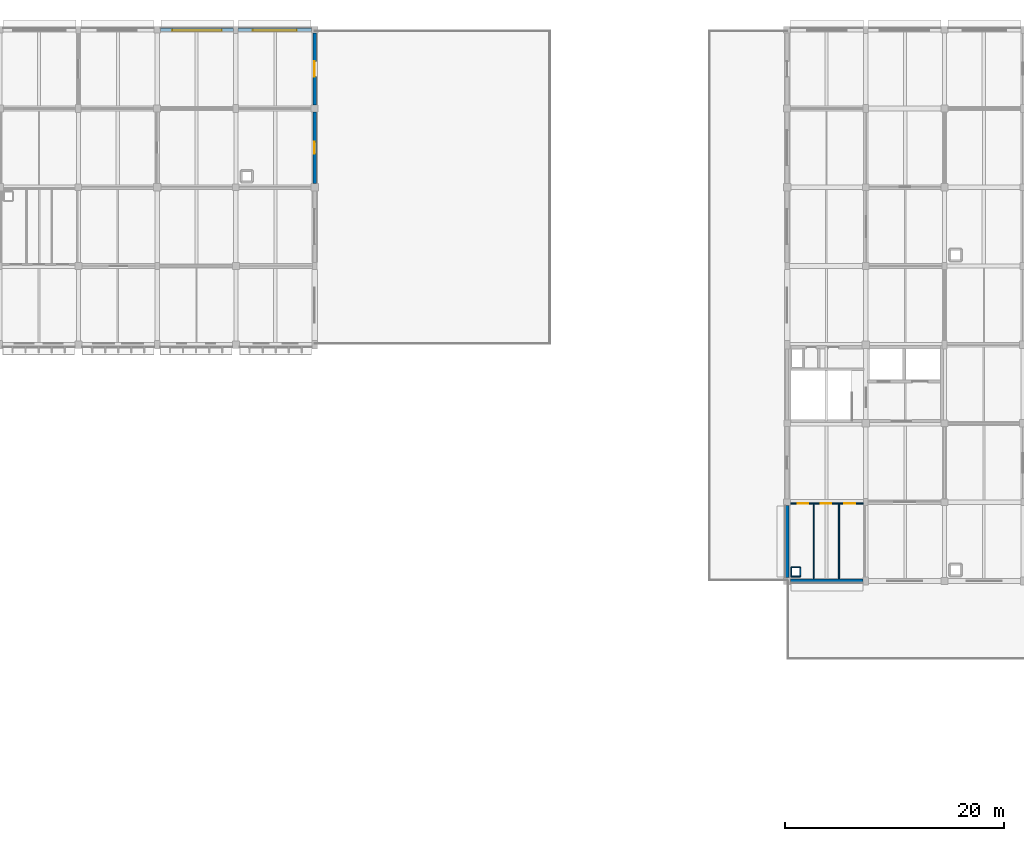
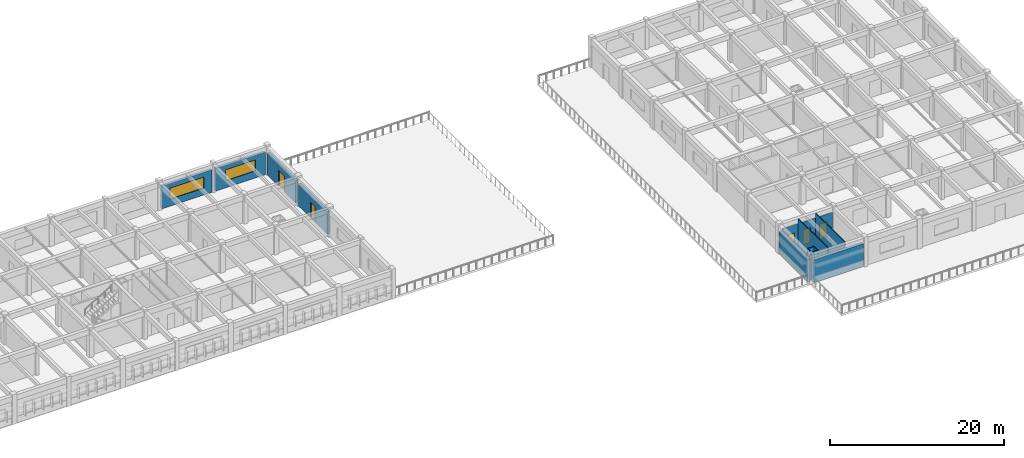
# One storey, part 28 of 38: 13 walls, 5 doors, 2 windows, 7 openings.
"""IFC4 building model written with IfcOpenShell, lengths in metres."""

from ifc_helpers import new_model, si_unit, direction, frame, frame_2d, origin, place, context, subcontext, project, spatial, rectangle, extrude, material, layer, layer_set, type_object, element, fill, save


model = new_model("IFC4")

# Units and contexts
model_context = context("Model", 3, precision=1e-05, world=origin(), true_north=direction((0.0, 1.0)))
body_context = subcontext(model_context, "Body", "Model", "MODEL_VIEW")
ifc_project = project(units=[si_unit("LENGTHUNIT", "METRE"), si_unit("AREAUNIT", "SQUARE_METRE"), si_unit("VOLUMEUNIT", "CUBIC_METRE"), si_unit("PLANEANGLEUNIT", "RADIAN"), si_unit("MASSUNIT", "GRAM", prefix="KILO")], contexts=[model_context])

# Site, building, storey
site_placement = place(None, origin())
site = spatial("IfcSite", under=ifc_project, at=site_placement, CompositionType="ELEMENT")
building_placement = place(site_placement, origin())
building = spatial("IfcBuilding", under=site, at=building_placement, Name="Thalmaran Polytechnic", CompositionType="ELEMENT")
storey_placement = place(building_placement, frame((0.0, 0.0, 18.60009765625)))
storey = spatial("IfcBuildingStorey", under=building, at=storey_placement, Name="L04", CompositionType="ELEMENT", Elevation=18.60009765625)

# Walls
ifc_material_1 = material(Name="Precast concrete C40/50", Category="concrete")
ifc_layer_1 = layer(ifc_material_1, 0.360107421875, Name="Precast concrete C40/50")
ifc_layer_set_1 = layer_set([ifc_layer_1], Name="Precast concrete C40/50")
wall_type_1 = type_object("IfcWallType", Name="WL-EW01", PredefinedType="STANDARD", material=ifc_layer_set_1)
wall_1_placement = place(storey_placement, frame((143.75, 72.0, 0.0), z_axis=(0.0, 0.0, 1.0), x_axis=(-1.0, 0.0, 0.0)))
element("IfcWall", 1, at=wall_1_placement, inside=storey, type_object=wall_type_1, Name="Exterior Precast Facade Wall L04-018", PredefinedType="STANDARD", context=body_context, shape_type="SweptSolid", body=[
    extrude(rectangle(XDim=6.625, YDim=0.360107421875, at=frame_2d((3.3125, 0.0))), origin(), (0.0, 0.0, 1.0), 3.2099609375),
])
wall_2_placement = place(storey_placement, frame((136.800048828125, 72.324951171875, 0.0), z_axis=(0.0, 0.0, 1.0), x_axis=(0.0, 1.0, 0.0)))
element("IfcWall", 2, at=wall_2_placement, inside=storey, type_object=wall_type_1, Name="Exterior Precast Facade Wall L04-019", PredefinedType="STANDARD", context=body_context, shape_type="SweptSolid", body=[
    extrude(rectangle(XDim=6.56494140625, YDim=0.360107421875, at=frame_2d((3.282470703125, 0.0))), origin(), (0.0, 0.0, 1.0), 3.159912109375),
])

# Wall, opening, door
ifc_layer_2 = layer(ifc_material_1, 0.330078125, Name="Precast concrete C40/50")
ifc_layer_set_2 = layer_set([ifc_layer_2], Name="Precast concrete C40/50")
wall_type_2 = type_object("IfcWallType", Name="WL-EW02", PredefinedType="STANDARD", material=ifc_layer_set_2)
wall_3_placement = place(storey_placement, frame((93.60009765625, 122.090087890625, 0.0), z_axis=(0.0, 0.0, 1.0), x_axis=(0.0, -1.0, 0.0)))
wall_3 = element("IfcWall", 3, at=wall_3_placement, inside=storey, type_object=wall_type_2, Name="Terrace Access Wall L04-065", PredefinedType="STANDARD", context=body_context, shape_type="SweptSolid", body=[
    extrude(rectangle(XDim=6.565185546875, YDim=0.330078125, at=frame_2d((3.28271484375, 0.0))), origin(), (0.0, 0.0, 1.0), 3.1298828125),
])
opening_1_placement = place(wall_3_placement, frame((2.58251953125, 0.0, 0.0)))
opening_1 = element("IfcOpeningElement", 4, at=opening_1_placement, cuts=wall_3, Name="Opening TD-013", PredefinedType="OPENING", context=body_context, shape_type="SweptSolid", body=[
    extrude(rectangle(XDim=1.39990234375, YDim=2.25, at=frame_2d((0.699951171875, 1.125))), frame((0.0, 0.175048828125, 0.0), z_axis=(0.0, -1.0, 0.0), x_axis=(1.0, 0.0, 0.0)), (0.0, 0.0, 1.0), 0.35009765625),
])
ifc_material_2 = material(Name="Anodised aluminium and safety glass", Category="aluminium")
door_type_1 = type_object("IfcDoorType", Name="DR-TD01", OperationType="NOTDEFINED", PredefinedType="DOOR", material=ifc_material_2)
door_1_placement = place(opening_1_placement, origin())
door_1 = element("IfcDoor", 5, at=door_1_placement, inside=storey, type_object=door_type_1, Name="Terrace Access Door TD-013", OperationType="SINGLE_SWING_LEFT", OverallHeight=2.25, OverallWidth=1.39990234375, PredefinedType="DOOR", context=body_context, shape_type="SweptSolid", body=[
    extrude(rectangle(XDim=1.39990234375, YDim=2.25, at=frame_2d((0.699951171875, 1.125))), frame((0.0, 0.02490234375, 0.0), z_axis=(0.0, -1.0, 0.0), x_axis=(1.0, 0.0, 0.0)), (0.0, 0.0, 1.0), 0.050048828125),
])
fill(opening_1, door_1)

wall_4_placement = place(storey_placement, frame((93.60009765625, 114.875, 0.0), z_axis=(0.0, 0.0, 1.0), x_axis=(0.0, -1.0, 0.0)))
wall_4 = element("IfcWall", 6, at=wall_4_placement, inside=storey, type_object=wall_type_2, Name="Terrace Access Wall L04-066", PredefinedType="STANDARD", context=body_context, shape_type="SweptSolid", body=[
    extrude(rectangle(XDim=6.534912109375, YDim=0.330078125, at=frame_2d((3.267578125, 0.0))), origin(), (0.0, 0.0, 1.0), 3.1298828125),
])
opening_2_placement = place(wall_4_placement, frame((2.717529296875, 0.0, 0.0)))
opening_2 = element("IfcOpeningElement", 7, at=opening_2_placement, cuts=wall_4, Name="Opening TD-014", PredefinedType="OPENING", context=body_context, shape_type="SweptSolid", body=[
    extrude(rectangle(XDim=1.10009765625, YDim=2.199951171875, at=frame_2d((0.550048828125, 1.10009765625))), frame((0.0, 0.175048828125, 0.0), z_axis=(0.0, -1.0, 0.0), x_axis=(1.0, 0.0, 0.0)), (0.0, 0.0, 1.0), 0.35009765625),
])
door_type_2 = type_object("IfcDoorType", Name="DR-TD02", OperationType="NOTDEFINED", PredefinedType="DOOR", material=ifc_material_2)
door_2_placement = place(opening_2_placement, origin())
door_2 = element("IfcDoor", 8, at=door_2_placement, inside=storey, type_object=door_type_2, Name="Terrace Access Door TD-014", OperationType="SINGLE_SWING_RIGHT", OverallHeight=2.199951171875, OverallWidth=1.10009765625, PredefinedType="DOOR", context=body_context, shape_type="SweptSolid", body=[
    extrude(rectangle(XDim=1.10009765625, YDim=2.199951171875, at=frame_2d((0.550048828125, 1.10009765625))), frame((0.0, 0.02490234375, 0.0), z_axis=(0.0, -1.0, 0.0), x_axis=(1.0, 0.0, 0.0)), (0.0, 0.0, 1.0), 0.050048828125),
])
fill(opening_2, door_2)

# Wall, opening, window
ifc_layer_3 = layer(ifc_material_1, 0.31005859375, Name="Precast concrete C40/50")
ifc_layer_set_3 = layer_set([ifc_layer_3], Name="Precast concrete C40/50")
wall_type_3 = type_object("IfcWallType", Name="WL-EW03", PredefinedType="STANDARD", material=ifc_layer_set_3)
wall_5_placement = place(storey_placement, frame((79.510009765625, 122.39990234375, 0.0), z_axis=(0.0, 0.0, 1.0), x_axis=(1.0, 0.0, 0.0)))
wall_5 = element("IfcWall", 9, at=wall_5_placement, inside=storey, type_object=wall_type_3, Name="Exterior Precast Facade Wall L04-063", PredefinedType="STANDARD", context=body_context, shape_type="SweptSolid", body=[
    extrude(rectangle(XDim=6.679931640625, YDim=0.31005859375, at=frame_2d((3.33984375, 0.0))), origin(), (0.0, 0.0, 1.0), 3.179931640625),
])
opening_3_placement = place(wall_5_placement, frame((1.090087890625, 0.0, 0.97998046875)))
opening_3 = element("IfcOpeningElement", 10, at=opening_3_placement, cuts=wall_5, Name="Opening VW01", PredefinedType="OPENING", context=body_context, shape_type="SweptSolid", body=[
    extrude(rectangle(XDim=4.5, YDim=1.550048828125, at=frame_2d((2.25, 0.77490234375))), frame((0.0, 0.1650390625, 0.0), z_axis=(0.0, -1.0, 0.0), x_axis=(1.0, 0.0, 0.0)), (0.0, 0.0, 1.0), 0.330078125),
])
ifc_material_3 = material(Name="Thermally broken aluminium and double low-E glass", Category="aluminium")
window_type_1 = type_object("IfcWindowType", Name="WN-VZ01", PartitioningType="TRIPLE_PANEL_HORIZONTAL", PredefinedType="WINDOW", material=ifc_material_3)
window_1_placement = place(opening_3_placement, origin())
window_1 = element("IfcWindow", 11, at=window_1_placement, inside=storey, type_object=window_type_1, Name="Streamline Ribbon Window W-0600", OverallHeight=1.550048828125, OverallWidth=4.5, PartitioningType="SINGLE_PANEL", PredefinedType="WINDOW", context=body_context, shape_type="SweptSolid", body=[
    extrude(rectangle(XDim=4.5, YDim=1.550048828125, at=frame_2d((2.25, 0.77490234375))), frame((0.0, -0.030029296875, 0.0), z_axis=(0.0, -1.0, 0.0), x_axis=(1.0, 0.0, 0.0)), (0.0, 0.0, 1.0), 0.06005859375),
])
fill(opening_3, window_1)

wall_6_placement = place(storey_placement, frame((86.610107421875, 122.39990234375, 0.0), z_axis=(0.0, 0.0, 1.0), x_axis=(1.0, 0.0, 0.0)))
wall_6 = element("IfcWall", 12, at=wall_6_placement, inside=storey, type_object=wall_type_3, Name="Exterior Precast Facade Wall L04-064", PredefinedType="STANDARD", context=body_context, shape_type="SweptSolid", body=[
    extrude(rectangle(XDim=6.679931640625, YDim=0.31005859375, at=frame_2d((3.33984375, 0.0))), origin(), (0.0, 0.0, 1.0), 3.179931640625),
])
opening_4_placement = place(wall_6_placement, frame((1.340087890625, 0.0, 0.97998046875)))
opening_4 = element("IfcOpeningElement", 13, at=opening_4_placement, cuts=wall_6, Name="Opening VW02", PredefinedType="OPENING", context=body_context, shape_type="SweptSolid", body=[
    extrude(rectangle(XDim=4.0, YDim=1.550048828125, at=frame_2d((2.0, 0.77490234375))), frame((0.0, 0.1650390625, 0.0), z_axis=(0.0, -1.0, 0.0), x_axis=(1.0, 0.0, 0.0)), (0.0, 0.0, 1.0), 0.330078125),
])
window_type_2 = type_object("IfcWindowType", Name="WN-VZ02", PartitioningType="TRIPLE_PANEL_HORIZONTAL", PredefinedType="WINDOW", material=ifc_material_3)
window_2_placement = place(opening_4_placement, origin())
window_2 = element("IfcWindow", 14, at=window_2_placement, inside=storey, type_object=window_type_2, Name="Streamline Ribbon Window W-0601", OverallHeight=1.550048828125, OverallWidth=4.0, PartitioningType="SINGLE_PANEL", PredefinedType="WINDOW", context=body_context, shape_type="SweptSolid", body=[
    extrude(rectangle(XDim=4.0, YDim=1.550048828125, at=frame_2d((2.0, 0.77490234375))), frame((0.0, -0.030029296875, 0.0), z_axis=(0.0, -1.0, 0.0), x_axis=(1.0, 0.0, 0.0)), (0.0, 0.0, 1.0), 0.06005859375),
])
fill(opening_4, window_2)

# Wall, openings, doors
ifc_material_4 = material(Name="Gypsum acoustic partition")
ifc_layer_4 = layer(ifc_material_4, 0.114990234375, Name="Gypsum acoustic partition")
ifc_layer_set_4 = layer_set([ifc_layer_4], Name="Gypsum acoustic partition")
wall_type_4 = type_object("IfcWallType", Name="WL-IW08", PredefinedType="PARTITIONING", material=ifc_layer_set_4)
wall_7_placement = place(storey_placement, frame((137.114990234375, 79.080078125, 0.0), z_axis=(0.0, 0.0, 1.0), x_axis=(1.0, 0.0, 0.0)))
wall_7 = element("IfcWall", 15, at=wall_7_placement, inside=storey, type_object=wall_type_4, Name="Sanitary Core Wall L04-W3-N", PredefinedType="PARTITIONING", context=body_context, shape_type="SweptSolid", body=[
    extrude(rectangle(XDim=6.669921875, YDim=0.114990234375, at=frame_2d((3.3349609375, 0.0))), origin(), (0.0, 0.0, 1.0), 3.239990234375),
])
opening_5_placement = place(wall_7_placement, frame((0.68505859375, 0.0, 0.0)))
opening_5 = element("IfcOpeningElement", 16, at=opening_5_placement, cuts=wall_7, Name="Opening WD-L04-W3-1", PredefinedType="OPENING", context=body_context, shape_type="SweptSolid", body=[
    extrude(rectangle(XDim=0.949951171875, YDim=2.10009765625, at=frame_2d((0.47509765625, 1.050048828125))), frame((0.0, 0.0673828125, 0.0), z_axis=(0.0, -1.0, 0.0), x_axis=(1.0, 0.0, 0.0)), (0.0, 0.0, 1.0), 0.135009765625),
])
opening_6_placement = place(wall_7_placement, frame((2.784912109375, 0.0, 0.0)))
opening_6 = element("IfcOpeningElement", 17, at=opening_6_placement, cuts=wall_7, Name="Opening WD-L04-W3-2", PredefinedType="OPENING", context=body_context, shape_type="SweptSolid", body=[
    extrude(rectangle(XDim=0.949951171875, YDim=2.10009765625, at=frame_2d((0.47509765625, 1.050048828125))), frame((0.0, 0.0673828125, 0.0), z_axis=(0.0, -1.0, 0.0), x_axis=(1.0, 0.0, 0.0)), (0.0, 0.0, 1.0), 0.135009765625),
])
opening_7_placement = place(wall_7_placement, frame((4.93505859375, 0.0, 0.0)))
opening_7 = element("IfcOpeningElement", 18, at=opening_7_placement, cuts=wall_7, Name="Opening WD-L04-W3-3", PredefinedType="OPENING", context=body_context, shape_type="SweptSolid", body=[
    extrude(rectangle(XDim=1.0, YDim=2.14990234375, at=frame_2d((0.5, 1.074951171875))), frame((0.0, 0.0673828125, 0.0), z_axis=(0.0, -1.0, 0.0), x_axis=(1.0, 0.0, 0.0)), (0.0, 0.0, 1.0), 0.135009765625),
])
ifc_material_5 = material(Name="Acoustic hardwood", Category="wood")
door_type_3 = type_object("IfcDoorType", Name="DR-ID06", OperationType="NOTDEFINED", PredefinedType="DOOR", material=ifc_material_5)
door_3_placement = place(opening_7_placement, origin())
door_3 = element("IfcDoor", 19, at=door_3_placement, inside=storey, type_object=door_type_3, Name="Accessible WC Door L04-W3", OperationType="SINGLE_SWING_RIGHT", OverallHeight=2.14990234375, OverallWidth=1.0, PredefinedType="DOOR", context=body_context, shape_type="SweptSolid", body=[
    extrude(rectangle(XDim=1.0, YDim=2.14990234375, at=frame_2d((0.5, 1.074951171875))), frame((0.0, 0.02490234375, 0.0), z_axis=(0.0, -1.0, 0.0), x_axis=(1.0, 0.0, 0.0)), (0.0, 0.0, 1.0), 0.050048828125),
])
fill(opening_7, door_3)
ifc_material_6 = material(Name="Moisture-resistant laminate timber", Category="wood")
door_type_4 = type_object("IfcDoorType", Name="DR-ID07", OperationType="NOTDEFINED", PredefinedType="DOOR", material=ifc_material_6)
door_4_placement = place(opening_5_placement, origin())
door_4 = element("IfcDoor", 20, at=door_4_placement, inside=storey, type_object=door_type_4, Name="Male WC Door L04-W3", OperationType="SINGLE_SWING_RIGHT", OverallHeight=2.10009765625, OverallWidth=0.949951171875, PredefinedType="DOOR", context=body_context, shape_type="SweptSolid", body=[
    extrude(rectangle(XDim=0.949951171875, YDim=2.10009765625, at=frame_2d((0.47509765625, 1.050048828125))), frame((0.0, 0.02490234375, 0.0), z_axis=(0.0, -1.0, 0.0), x_axis=(1.0, 0.0, 0.0)), (0.0, 0.0, 1.0), 0.050048828125),
])
fill(opening_5, door_4)
door_5_placement = place(opening_6_placement, origin())
door_5 = element("IfcDoor", 21, at=door_5_placement, inside=storey, type_object=door_type_4, Name="Female WC Door L04-W3", OperationType="SINGLE_SWING_LEFT", OverallHeight=2.10009765625, OverallWidth=0.949951171875, PredefinedType="DOOR", context=body_context, shape_type="SweptSolid", body=[
    extrude(rectangle(XDim=0.949951171875, YDim=2.10009765625, at=frame_2d((0.47509765625, 1.050048828125))), frame((0.0, 0.02490234375, 0.0), z_axis=(0.0, -1.0, 0.0), x_axis=(1.0, 0.0, 0.0)), (0.0, 0.0, 1.0), 0.050048828125),
])
fill(opening_6, door_5)

# Walls
ifc_material_7 = material(Name="Moisture-resistant partition")
ifc_layer_5 = layer(ifc_material_7, 0.10009765625, Name="Moisture-resistant partition")
ifc_layer_set_5 = layer_set([ifc_layer_5], Name="Moisture-resistant partition")
wall_type_5 = type_object("IfcWallType", Name="WL-IW09", PredefinedType="PARTITIONING", material=ifc_layer_set_5)
for number, where, z_axis, x_axis, name in (
    (22, (139.25, 72.199951171875, 0.0), (0.0, 0.0, 1.0), (0.0, 1.0, 0.0), "WC Partition L04-W3-1"),
    (23, (141.550048828125, 72.199951171875, 0.0), (0.0, 0.0, 1.0), (0.0, 1.0, 0.0), "WC Partition L04-W3-2"),
):
    element("IfcWall", number, at=place(storey_placement, frame(where, z_axis=z_axis, x_axis=x_axis)), inside=storey, type_object=wall_type_5, Name=name, PredefinedType="PARTITIONING", context=body_context, shape_type="SweptSolid", body=[
        extrude(rectangle(XDim=6.800048828125, YDim=0.10009765625, at=frame_2d((3.39990234375, 0.0))), origin(), (0.0, 0.0, 1.0), 3.954833984375),
    ])
wall_8_placement = place(storey_placement, frame((137.18994140625, 72.39990234375, 0.0), z_axis=(0.0, 0.0, 1.0), x_axis=(1.0, 0.0, 0.0)))
element("IfcWall", 24, at=wall_8_placement, inside=storey, type_object=wall_type_5, Name="Plumbing Riser Chase Wall L04-W3-S", PredefinedType="PARTITIONING", context=body_context, shape_type="SweptSolid", body=[
    extrude(rectangle(XDim=0.820068359375, YDim=0.10009765625, at=frame_2d((0.41015625, 0.0))), origin(), (0.0, 0.0, 1.0), 3.954833984375),
])
wall_9_placement = place(storey_placement, frame((138.010009765625, 72.39990234375, 0.0), z_axis=(0.0, 0.0, 1.0), x_axis=(0.0, 1.0, 0.0)))
element("IfcWall", 25, at=wall_9_placement, inside=storey, type_object=wall_type_5, Name="Plumbing Riser Chase Wall L04-W3-E", PredefinedType="PARTITIONING", context=body_context, shape_type="SweptSolid", body=[
    extrude(rectangle(XDim=0.860107421875, YDim=0.10009765625, at=frame_2d((0.43017578125, 0.0))), origin(), (0.0, 0.0, 1.0), 3.954833984375),
])
wall_10_placement = place(storey_placement, frame((138.010009765625, 73.260009765625, 0.0), z_axis=(0.0, 0.0, 1.0), x_axis=(-1.0, 0.0, 0.0)))
element("IfcWall", 26, at=wall_10_placement, inside=storey, type_object=wall_type_5, Name="Plumbing Riser Chase Wall L04-W3-N", PredefinedType="PARTITIONING", context=body_context, shape_type="SweptSolid", body=[
    extrude(rectangle(XDim=0.820068359375, YDim=0.10009765625, at=frame_2d((0.41015625, 0.0))), origin(), (0.0, 0.0, 1.0), 3.954833984375),
])
wall_11_placement = place(storey_placement, frame((137.18994140625, 73.260009765625, 0.0), z_axis=(0.0, 0.0, 1.0), x_axis=(0.0, -1.0, 0.0)))
element("IfcWall", 27, at=wall_11_placement, inside=storey, type_object=wall_type_5, Name="Plumbing Riser Chase Wall L04-W3-W", PredefinedType="PARTITIONING", context=body_context, shape_type="SweptSolid", body=[
    extrude(rectangle(XDim=0.860107421875, YDim=0.10009765625, at=frame_2d((0.43017578125, 0.0))), origin(), (0.0, 0.0, 1.0), 3.954833984375),
])

save(model, "model.ifc")
